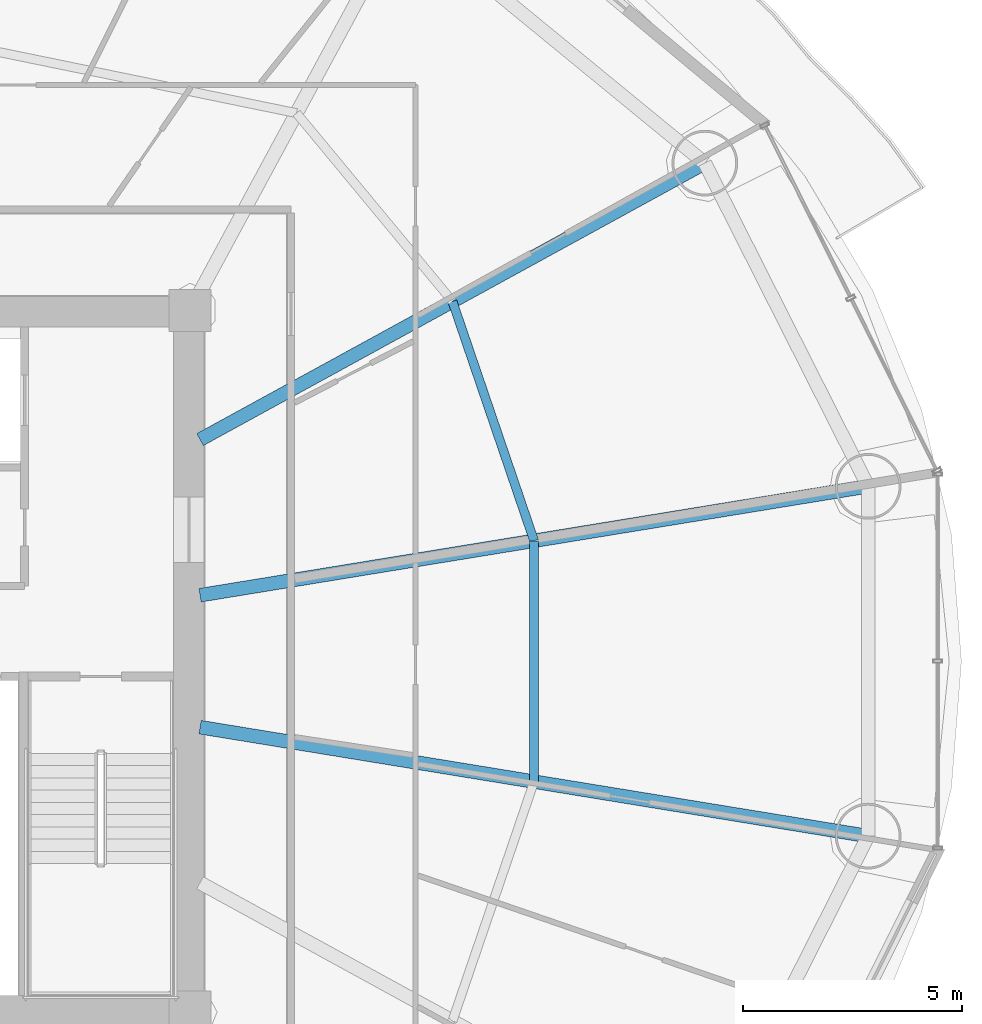
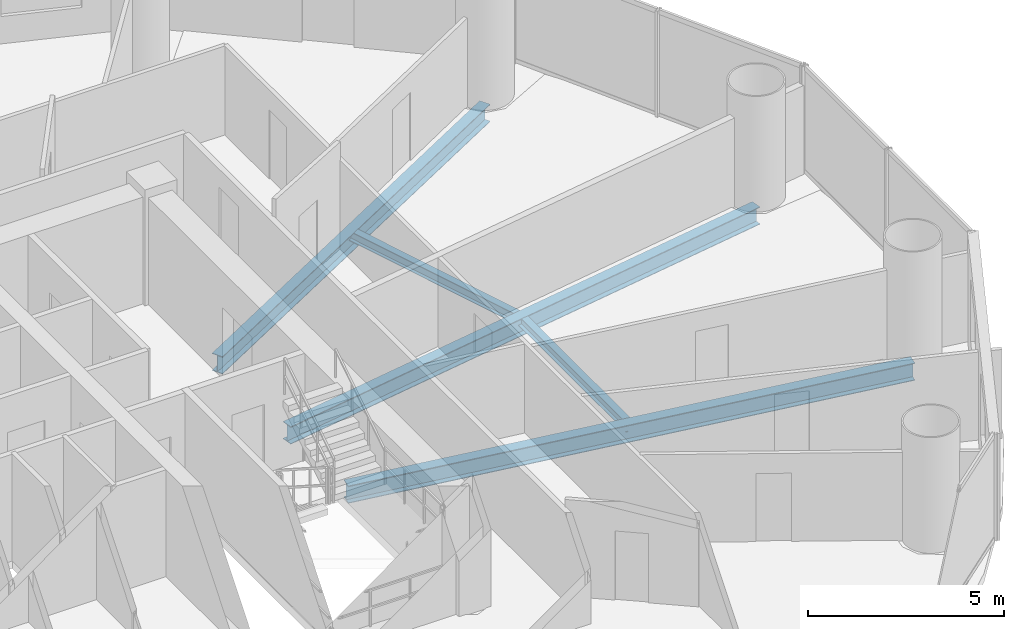
# One storey, part 13 of 28: 5 beams.
"""IFC4 building model written with IfcOpenShell, lengths in metres."""

import ifcopenshell
import ifcopenshell.guid

model = None  # the IFC model being written
_history = None  # IfcOwnerHistory: only IFC2X3 demands one
_inside = {}  # id of a spatial element -> (the spatial element, [elements in it])
_under = {}  # id of a project, library or spatial element -> (it, [spatial elements below it])
_declared = {}  # id of a project -> (the project, [libraries it declares])
_typed = {}  # id of a type object -> (the type object, [elements of that type])
_made_of = {}  # id of a material, layer set ... -> (it, [elements and type objects made of it])


def new_model(schema):
    """Start an empty IFC model of exactly this schema.

    Asked for "IFC4X3", IfcOpenShell would pick the latest addendum, in which some entities
    have other attributes; the version numbers below select the first issue.
    IFC2X3 requires an IfcOwnerHistory on every rooted entity: one is made here for all.
    """
    global model, _history
    if schema == "IFC4X3":
        model = ifcopenshell.file(schema_version=(4, 3, 0, 0))
    else:
        model = ifcopenshell.file(schema=schema)
    _inside.clear()
    _under.clear()
    _declared.clear()
    _typed.clear()
    _made_of.clear()
    _history = None
    if model.schema == "IFC2X3":
        org = make("IfcOrganization", Name="unknown")
        user = make(
            "IfcPersonAndOrganization",
            ThePerson=make("IfcPerson", FamilyName="unknown"),
            TheOrganization=org,
        )
        app = make(
            "IfcApplication",
            ApplicationDeveloper=org,
            Version="unknown",
            ApplicationFullName="unknown",
            ApplicationIdentifier="unknown",
        )
        _history = make(
            "IfcOwnerHistory",
            OwningUser=user,
            OwningApplication=app,
            ChangeAction="ADDED",
            CreationDate=0,
        )
    return model


def make(cls, **values):
    """One entity of the class cls with the attributes given. An attribute that is None is left unset."""
    return model.create_entity(
        cls, **{name: value for name, value in values.items() if value is not None}
    )


def rooted(cls, **values):
    """An entity with a GlobalId (a new one), such as an element, a storey or a relation."""
    return make(cls, GlobalId=ifcopenshell.guid.new(), OwnerHistory=_history, **values)


def si_unit(unit_type, name, prefix=None):
    """IfcSIUnit, for example si_unit("LENGTHUNIT", "METRE", prefix="MILLI")."""
    return make("IfcSIUnit", UnitType=unit_type, Prefix=prefix, Name=name)


def assignment(units):
    """IfcUnitAssignment: the units of a project."""
    return None if units is None else make("IfcUnitAssignment", Units=units)


def point(xyz):
    """IfcCartesianPoint."""
    return None if xyz is None else make("IfcCartesianPoint", Coordinates=xyz)


def direction(xyz):
    """IfcDirection."""
    return None if xyz is None else make("IfcDirection", DirectionRatios=xyz)


def frame(location, z_axis=None, x_axis=None):
    """IfcAxis2Placement3D, a coordinate frame: its origin and axes. An axis left out is left unset."""
    return make(
        "IfcAxis2Placement3D",
        Location=point(location),
        Axis=direction(z_axis),
        RefDirection=direction(x_axis),
    )


def frame_2d(location, x_axis=None):
    """IfcAxis2Placement2D, a coordinate frame in the plane: its origin and x axis."""
    return make(
        "IfcAxis2Placement2D", Location=point(location), RefDirection=direction(x_axis)
    )


def origin():
    """The frame at (0, 0, 0) with its axes left unset."""
    return frame((0.0, 0.0, 0.0))


def origin_2d():
    """The frame at (0, 0) in the plane with its x axis left unset."""
    return frame_2d((0.0, 0.0))


def place(relative_to, where):
    """IfcLocalPlacement: puts the frame where relative to a parent placement (None: the world)."""
    return make(
        "IfcLocalPlacement", PlacementRelTo=relative_to, RelativePlacement=where
    )


def context(
    kind, dimensions, precision=None, world=None, true_north=None, identifier=None
):
    """IfcGeometricRepresentationContext, for example the 3D "Model" context."""
    return make(
        "IfcGeometricRepresentationContext",
        ContextIdentifier=identifier,
        ContextType=kind,
        CoordinateSpaceDimension=dimensions,
        Precision=precision,
        WorldCoordinateSystem=world,
        TrueNorth=true_north,
    )


def subcontext(parent, identifier, kind, view, scale=None):
    """IfcGeometricRepresentationSubContext, for example "Body" below "Model"."""
    return make(
        "IfcGeometricRepresentationSubContext",
        ContextIdentifier=identifier,
        ContextType=kind,
        ParentContext=parent,
        TargetScale=scale,
        TargetView=view,
    )


def project(units=None, contexts=None):
    """IfcProject with its units and contexts."""
    return rooted(
        "IfcProject",
        Name="project",
        RepresentationContexts=contexts,
        UnitsInContext=assignment(units),
    )


def spatial(cls, under=None, at=None, **own):
    """A site, building, storey or space (cls), placed at a placement, below another one or the project."""
    s = rooted(cls, ObjectPlacement=at, **own)
    if under is not None:
        _under.setdefault(under.id(), (under, []))[1].append(s)
    return s


def profile(cls, at=None, kind="AREA", **sizes):
    """A parametric profile (cls). Its sizes go by their IFC names, for example OverallWidth=200.0."""
    return make(cls, ProfileType=kind, Position=at, **sizes)


def i_section(**sizes):
    """IfcIShapeProfileDef."""
    return profile("IfcIShapeProfileDef", **sizes)


def extrude(swept, where, along, depth):
    """IfcExtrudedAreaSolid: the profile swept, set in the frame where, extruded along a direction by depth."""
    return make(
        "IfcExtrudedAreaSolid",
        SweptArea=swept,
        Position=where,
        ExtrudedDirection=direction(along),
        Depth=depth,
    )


def shape(context_of_items, identifier, shape_type, items):
    """IfcShapeRepresentation: the items that make up one representation, for example the "Body"."""
    return make(
        "IfcShapeRepresentation",
        ContextOfItems=context_of_items,
        RepresentationIdentifier=identifier,
        RepresentationType=shape_type,
        Items=items,
    )


def material(Name=None, Category=None):
    """IfcMaterial."""
    return make("IfcMaterial", Name=Name, Category=Category)


def material_profile(
    of_material, cross_section, Name=None, Category=None, Priority=None
):
    """IfcMaterialProfile: a cross section and its material."""
    return make(
        "IfcMaterialProfile",
        Name=Name,
        Material=of_material,
        Profile=cross_section,
        Priority=Priority,
        Category=Category,
    )


def profile_set(profiles, Name=None, composite=None):
    """IfcMaterialProfileSet."""
    return make(
        "IfcMaterialProfileSet",
        Name=Name,
        MaterialProfiles=profiles,
        CompositeProfile=composite,
    )


def made_of(thing, what):
    """Note that an element or type object is made of a material, layer set ...; save() writes the relation."""
    if what is not None:
        _made_of.setdefault(what.id(), (what, []))[1].append(thing)
    return thing


def type_object(cls, material=None, **own):
    """A type object (cls), such as IfcWallType, which elements share."""
    return made_of(rooted(cls, **own), material)


def element(
    cls,
    number,
    at=None,
    inside=None,
    cuts=None,
    type_object=None,
    material=None,
    context=None,
    identifier="Body",
    shape_type=None,
    held_by="IfcProductDefinitionShape",
    body=None,
    shapes=None,
    **own,
):
    """One element of the class cls, such as IfcWall. Its Tag is "e" and its number.

    at: its placement. inside: the storey or other place that contains it. cuts: it is an
    opening in that element (IfcRelVoidsElement). A single representation is given by context,
    identifier, shape_type and body (its items); several are given by shapes. held_by: the class
    of the entity that holds the representations. save() writes the other relations.
    """
    e = rooted(cls, Tag="e%d" % number, ObjectPlacement=at, **own)
    if body is not None:
        shapes = [shape(context, identifier, shape_type, body)]
    if shapes is not None:
        e.Representation = make(held_by, Representations=shapes)
    if inside is not None:
        _inside.setdefault(inside.id(), (inside, []))[1].append(e)
    if cuts is not None:
        rooted(
            "IfcRelVoidsElement", RelatingBuildingElement=cuts, RelatedOpeningElement=e
        )
    if type_object is not None:
        _typed.setdefault(type_object.id(), (type_object, []))[1].append(e)
    return made_of(e, material)


def aggregate(whole, parts):
    """IfcRelAggregates: a whole, such as a stair, and the parts it consists of."""
    return rooted("IfcRelAggregates", RelatingObject=whole, RelatedObjects=parts)


def save(model, path):
    """Write the relations noted so far, then the file.

    IfcRelAggregates (storeys below a building ...), IfcRelContainedInSpatialStructure (elements
    in a storey), IfcRelDefinesByType, IfcRelAssociatesMaterial and IfcRelDeclares: one each for
    every whole, place, type object, material and project.
    """
    for whole, parts in _under.values():
        aggregate(whole, parts)
    for where, things in _inside.values():
        rooted(
            "IfcRelContainedInSpatialStructure",
            RelatedElements=things,
            RelatingStructure=where,
        )
    for kind, things in _typed.values():
        rooted("IfcRelDefinesByType", RelatedObjects=things, RelatingType=kind)
    for what, things in _made_of.values():
        rooted("IfcRelAssociatesMaterial", RelatedObjects=things, RelatingMaterial=what)
    for by, libraries in _declared.values():
        rooted("IfcRelDeclares", RelatingContext=by, RelatedDefinitions=libraries)
    model.write(path)


model = new_model("IFC4")

# Units and contexts
model_context = context("Model", 3, precision=1e-05, world=origin(), true_north=direction((-0.2419218956, 0.970295726276)))
body_context = subcontext(model_context, "Body", "Model", "MODEL_VIEW")
ifc_project = project(units=[si_unit("LENGTHUNIT", "METRE"), si_unit("AREAUNIT", "SQUARE_METRE"), si_unit("VOLUMEUNIT", "CUBIC_METRE"), si_unit("PLANEANGLEUNIT", "RADIAN"), si_unit("MASSUNIT", "GRAM", prefix="KILO")], contexts=[model_context])

# Site, building, storey
site_placement = place(None, origin())
site = spatial("IfcSite", under=ifc_project, at=site_placement, CompositionType="ELEMENT")
building_placement = place(site_placement, origin())
building = spatial("IfcBuilding", under=site, at=building_placement, Name="Cobrevalo Terracotta Tower", CompositionType="ELEMENT")
storey_placement = place(building_placement, frame((0.0, 0.0, 105.0)))
storey = spatial("IfcBuildingStorey", under=building, at=storey_placement, Name="L27", CompositionType="ELEMENT", Elevation=105.0)

# Beams
ifc_material = material(Name="Steel S355", Category="steel")
ifc_material_profile_1 = material_profile(ifc_material, i_section(OverallWidth=0.31201171875, OverallDepth=0.54296875, WebThickness=0.0126953125, FlangeThickness=0.020263671875, at=origin_2d()), Name="W 530x150")
ifc_profile_set_1 = profile_set([ifc_material_profile_1], Name="Steel S355")
beam_type_1 = type_object("IfcBeamType", Name="Structural Beam W 530x150 (Steel S355)", PredefinedType="BEAM", material=ifc_profile_set_1)
beam_1_placement = place(storey_placement, frame((62.470703125, 30.78955078125, -0.54638671875), z_axis=(-0.986970567439, -0.160900898101, 0.0), x_axis=(0.160900898101, -0.986970567439, 0.0)))
element("IfcBeam", 1, at=beam_1_placement, inside=storey, type_object=beam_type_1, Name="L27 radial floor girder 01", PredefinedType="BEAM", context=body_context, shape_type="SweptSolid", body=[
    extrude(i_section(OverallWidth=0.31201171875, OverallDepth=0.54296875, WebThickness=0.0126953125, FlangeThickness=0.020263671875, at=origin_2d()), origin(), (0.0, 0.0, 1.0), 15.44189453125),
])
beam_2_placement = place(storey_placement, frame((58.7451171875, 38.161376953125, -0.54638671875), z_axis=(-0.877080599376, -0.480343233738, 0.0), x_axis=(0.480343233738, -0.877080599376, 0.0)))
element("IfcBeam", 2, at=beam_2_placement, inside=storey, type_object=beam_type_1, Name="L27 radial floor girder 02", PredefinedType="BEAM", context=body_context, shape_type="SweptSolid", body=[
    extrude(i_section(OverallWidth=0.31201171875, OverallDepth=0.54296875, WebThickness=0.0126953125, FlangeThickness=0.020263671875, at=origin_2d()), origin(), (0.0, 0.0, 1.0), 13.12890625),
])
beam_3_placement = place(storey_placement, frame((62.470703125, 22.810302734375, -0.54638671875), z_axis=(-0.986968056587, 0.160916298977, 0.0), x_axis=(-0.160916298977, -0.986968056587, 0.0)))
element("IfcBeam", 3, at=beam_3_placement, inside=storey, type_object=beam_type_1, Name="L27 radial floor girder 16", PredefinedType="BEAM", context=body_context, shape_type="SweptSolid", body=[
    extrude(i_section(OverallWidth=0.31201171875, OverallDepth=0.54296875, WebThickness=0.0126953125, FlangeThickness=0.020263671875, at=origin_2d()), origin(), (0.0, 0.0, 1.0), 15.44189453125),
])
ifc_material_profile_2 = material_profile(ifc_material, i_section(OverallWidth=0.2041015625, OverallDepth=0.305908203125, WebThickness=0.008544921875, FlangeThickness=0.0146484375, at=origin_2d()), Name="W 310x67")
ifc_profile_set_2 = profile_set([ifc_material_profile_2], Name="Steel S355")
beam_type_2 = type_object("IfcBeamType", Name="Structural Joist W 310x67 (Steel S355)", PredefinedType="JOIST", material=ifc_profile_set_2)
beam_4_placement = place(storey_placement, frame((54.850341796875, 29.547119140625, -0.427978515625), z_axis=(-0.322833299398, 0.94645584197, 0.0), x_axis=(-0.94645584197, -0.322833299398, 0.0)))
element("IfcBeam", 4, at=beam_4_placement, inside=storey, type_object=beam_type_2, Name="L27 circumferential secondary floor joist 01", PredefinedType="JOIST", context=body_context, shape_type="SweptSolid", body=[
    extrude(i_section(OverallWidth=0.2041015625, OverallDepth=0.305908203125, WebThickness=0.008544921875, FlangeThickness=0.0146484375, at=origin_2d()), origin(), (0.0, 0.0, 1.0), 5.77001953125),
])
beam_5_placement = place(storey_placement, frame((54.850341796875, 24.052734375, -0.427978515625), z_axis=(0.0, 1.0, 0.0), x_axis=(-1.0, 0.0, 0.0)))
element("IfcBeam", 5, at=beam_5_placement, inside=storey, type_object=beam_type_2, Name="L27 circumferential secondary floor joist 16", PredefinedType="JOIST", context=body_context, shape_type="SweptSolid", body=[
    extrude(i_section(OverallWidth=0.2041015625, OverallDepth=0.305908203125, WebThickness=0.008544921875, FlangeThickness=0.0146484375, at=origin_2d()), origin(), (0.0, 0.0, 1.0), 5.494384765625),
])

save(model, "model.ifc")
